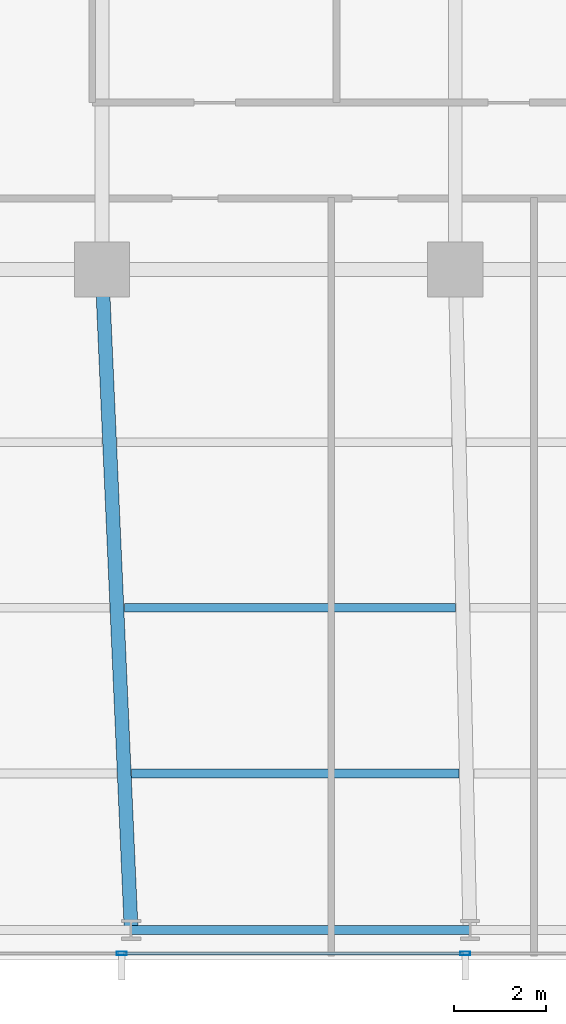
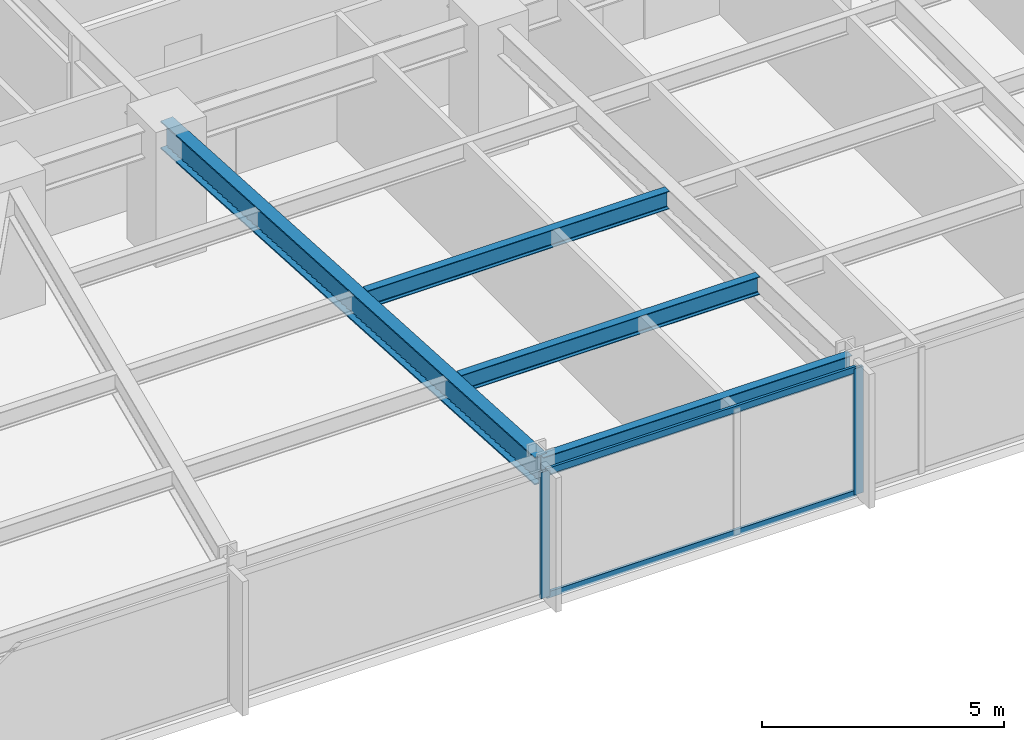
# One storey, part 5 of 32: 4 beams, 4 members, 1 element without a shape of its own.
"""IFC4 building model written with IfcOpenShell, lengths in metres."""

import ifcopenshell
import ifcopenshell.guid

model = None  # the IFC model being written
_history = None  # IfcOwnerHistory: only IFC2X3 demands one
_inside = {}  # id of a spatial element -> (the spatial element, [elements in it])
_under = {}  # id of a project, library or spatial element -> (it, [spatial elements below it])
_declared = {}  # id of a project -> (the project, [libraries it declares])
_typed = {}  # id of a type object -> (the type object, [elements of that type])
_made_of = {}  # id of a material, layer set ... -> (it, [elements and type objects made of it])


def new_model(schema):
    """Start an empty IFC model of exactly this schema.

    Asked for "IFC4X3", IfcOpenShell would pick the latest addendum, in which some entities
    have other attributes; the version numbers below select the first issue.
    IFC2X3 requires an IfcOwnerHistory on every rooted entity: one is made here for all.
    """
    global model, _history
    if schema == "IFC4X3":
        model = ifcopenshell.file(schema_version=(4, 3, 0, 0))
    else:
        model = ifcopenshell.file(schema=schema)
    _inside.clear()
    _under.clear()
    _declared.clear()
    _typed.clear()
    _made_of.clear()
    _history = None
    if model.schema == "IFC2X3":
        org = make("IfcOrganization", Name="unknown")
        user = make(
            "IfcPersonAndOrganization",
            ThePerson=make("IfcPerson", FamilyName="unknown"),
            TheOrganization=org,
        )
        app = make(
            "IfcApplication",
            ApplicationDeveloper=org,
            Version="unknown",
            ApplicationFullName="unknown",
            ApplicationIdentifier="unknown",
        )
        _history = make(
            "IfcOwnerHistory",
            OwningUser=user,
            OwningApplication=app,
            ChangeAction="ADDED",
            CreationDate=0,
        )
    return model


def make(cls, **values):
    """One entity of the class cls with the attributes given. An attribute that is None is left unset."""
    return model.create_entity(
        cls, **{name: value for name, value in values.items() if value is not None}
    )


def rooted(cls, **values):
    """An entity with a GlobalId (a new one), such as an element, a storey or a relation."""
    return make(cls, GlobalId=ifcopenshell.guid.new(), OwnerHistory=_history, **values)


def si_unit(unit_type, name, prefix=None):
    """IfcSIUnit, for example si_unit("LENGTHUNIT", "METRE", prefix="MILLI")."""
    return make("IfcSIUnit", UnitType=unit_type, Prefix=prefix, Name=name)


def assignment(units):
    """IfcUnitAssignment: the units of a project."""
    return None if units is None else make("IfcUnitAssignment", Units=units)


def point(xyz):
    """IfcCartesianPoint."""
    return None if xyz is None else make("IfcCartesianPoint", Coordinates=xyz)


def direction(xyz):
    """IfcDirection."""
    return None if xyz is None else make("IfcDirection", DirectionRatios=xyz)


def frame(location, z_axis=None, x_axis=None):
    """IfcAxis2Placement3D, a coordinate frame: its origin and axes. An axis left out is left unset."""
    return make(
        "IfcAxis2Placement3D",
        Location=point(location),
        Axis=direction(z_axis),
        RefDirection=direction(x_axis),
    )


def frame_2d(location, x_axis=None):
    """IfcAxis2Placement2D, a coordinate frame in the plane: its origin and x axis."""
    return make(
        "IfcAxis2Placement2D", Location=point(location), RefDirection=direction(x_axis)
    )


def origin():
    """The frame at (0, 0, 0) with its axes left unset."""
    return frame((0.0, 0.0, 0.0))


def origin_2d():
    """The frame at (0, 0) in the plane with its x axis left unset."""
    return frame_2d((0.0, 0.0))


def place(relative_to, where):
    """IfcLocalPlacement: puts the frame where relative to a parent placement (None: the world)."""
    return make(
        "IfcLocalPlacement", PlacementRelTo=relative_to, RelativePlacement=where
    )


def context(
    kind, dimensions, precision=None, world=None, true_north=None, identifier=None
):
    """IfcGeometricRepresentationContext, for example the 3D "Model" context."""
    return make(
        "IfcGeometricRepresentationContext",
        ContextIdentifier=identifier,
        ContextType=kind,
        CoordinateSpaceDimension=dimensions,
        Precision=precision,
        WorldCoordinateSystem=world,
        TrueNorth=true_north,
    )


def subcontext(parent, identifier, kind, view, scale=None):
    """IfcGeometricRepresentationSubContext, for example "Body" below "Model"."""
    return make(
        "IfcGeometricRepresentationSubContext",
        ContextIdentifier=identifier,
        ContextType=kind,
        ParentContext=parent,
        TargetScale=scale,
        TargetView=view,
    )


def project(units=None, contexts=None):
    """IfcProject with its units and contexts."""
    return rooted(
        "IfcProject",
        Name="project",
        RepresentationContexts=contexts,
        UnitsInContext=assignment(units),
    )


def spatial(cls, under=None, at=None, **own):
    """A site, building, storey or space (cls), placed at a placement, below another one or the project."""
    s = rooted(cls, ObjectPlacement=at, **own)
    if under is not None:
        _under.setdefault(under.id(), (under, []))[1].append(s)
    return s


def profile(cls, at=None, kind="AREA", **sizes):
    """A parametric profile (cls). Its sizes go by their IFC names, for example OverallWidth=200.0."""
    return make(cls, ProfileType=kind, Position=at, **sizes)


def hollow_rectangle(**sizes):
    """IfcRectangleHollowProfileDef."""
    return profile("IfcRectangleHollowProfileDef", **sizes)


def i_section(**sizes):
    """IfcIShapeProfileDef."""
    return profile("IfcIShapeProfileDef", **sizes)


def extrude(swept, where, along, depth):
    """IfcExtrudedAreaSolid: the profile swept, set in the frame where, extruded along a direction by depth."""
    return make(
        "IfcExtrudedAreaSolid",
        SweptArea=swept,
        Position=where,
        ExtrudedDirection=direction(along),
        Depth=depth,
    )


def shape(context_of_items, identifier, shape_type, items):
    """IfcShapeRepresentation: the items that make up one representation, for example the "Body"."""
    return make(
        "IfcShapeRepresentation",
        ContextOfItems=context_of_items,
        RepresentationIdentifier=identifier,
        RepresentationType=shape_type,
        Items=items,
    )


def material(Name=None, Category=None):
    """IfcMaterial."""
    return make("IfcMaterial", Name=Name, Category=Category)


def material_profile(
    of_material, cross_section, Name=None, Category=None, Priority=None
):
    """IfcMaterialProfile: a cross section and its material."""
    return make(
        "IfcMaterialProfile",
        Name=Name,
        Material=of_material,
        Profile=cross_section,
        Priority=Priority,
        Category=Category,
    )


def profile_set(profiles, Name=None, composite=None):
    """IfcMaterialProfileSet."""
    return make(
        "IfcMaterialProfileSet",
        Name=Name,
        MaterialProfiles=profiles,
        CompositeProfile=composite,
    )


def made_of(thing, what):
    """Note that an element or type object is made of a material, layer set ...; save() writes the relation."""
    if what is not None:
        _made_of.setdefault(what.id(), (what, []))[1].append(thing)
    return thing


def type_object(cls, material=None, **own):
    """A type object (cls), such as IfcWallType, which elements share."""
    return made_of(rooted(cls, **own), material)


def element(
    cls,
    number,
    at=None,
    inside=None,
    cuts=None,
    type_object=None,
    material=None,
    context=None,
    identifier="Body",
    shape_type=None,
    held_by="IfcProductDefinitionShape",
    body=None,
    shapes=None,
    **own,
):
    """One element of the class cls, such as IfcWall. Its Tag is "e" and its number.

    at: its placement. inside: the storey or other place that contains it. cuts: it is an
    opening in that element (IfcRelVoidsElement). A single representation is given by context,
    identifier, shape_type and body (its items); several are given by shapes. held_by: the class
    of the entity that holds the representations. save() writes the other relations.
    """
    e = rooted(cls, Tag="e%d" % number, ObjectPlacement=at, **own)
    if body is not None:
        shapes = [shape(context, identifier, shape_type, body)]
    if shapes is not None:
        e.Representation = make(held_by, Representations=shapes)
    if inside is not None:
        _inside.setdefault(inside.id(), (inside, []))[1].append(e)
    if cuts is not None:
        rooted(
            "IfcRelVoidsElement", RelatingBuildingElement=cuts, RelatedOpeningElement=e
        )
    if type_object is not None:
        _typed.setdefault(type_object.id(), (type_object, []))[1].append(e)
    return made_of(e, material)


def aggregate(whole, parts):
    """IfcRelAggregates: a whole, such as a stair, and the parts it consists of."""
    return rooted("IfcRelAggregates", RelatingObject=whole, RelatedObjects=parts)


def save(model, path):
    """Write the relations noted so far, then the file.

    IfcRelAggregates (storeys below a building ...), IfcRelContainedInSpatialStructure (elements
    in a storey), IfcRelDefinesByType, IfcRelAssociatesMaterial and IfcRelDeclares: one each for
    every whole, place, type object, material and project.
    """
    for whole, parts in _under.values():
        aggregate(whole, parts)
    for where, things in _inside.values():
        rooted(
            "IfcRelContainedInSpatialStructure",
            RelatedElements=things,
            RelatingStructure=where,
        )
    for kind, things in _typed.values():
        rooted("IfcRelDefinesByType", RelatedObjects=things, RelatingType=kind)
    for what, things in _made_of.values():
        rooted("IfcRelAssociatesMaterial", RelatedObjects=things, RelatingMaterial=what)
    for by, libraries in _declared.values():
        rooted("IfcRelDeclares", RelatingContext=by, RelatedDefinitions=libraries)
    model.write(path)


model = new_model("IFC4")

# Units and contexts
model_context = context("Model", 3, precision=1e-05, world=origin(), true_north=direction((0.0, 1.0)))
body_context = subcontext(model_context, "Body", "Model", "MODEL_VIEW")
ifc_project = project(units=[si_unit("LENGTHUNIT", "METRE"), si_unit("AREAUNIT", "SQUARE_METRE"), si_unit("VOLUMEUNIT", "CUBIC_METRE"), si_unit("PLANEANGLEUNIT", "RADIAN"), si_unit("MASSUNIT", "GRAM", prefix="KILO")], contexts=[model_context])

# Site, building, storey
site_placement = place(None, origin())
site = spatial("IfcSite", under=ifc_project, at=site_placement, CompositionType="ELEMENT")
building_placement = place(site_placement, origin())
building = spatial("IfcBuilding", under=site, at=building_placement, Name="Yelkora Congress Tower", CompositionType="ELEMENT")
storey_placement = place(building_placement, frame((0.0, 0.0, 61.0)))
storey = spatial("IfcBuildingStorey", under=building, at=storey_placement, Name="L15", CompositionType="ELEMENT", Elevation=61.0)

# Beams
ifc_material_1 = material(Name="Steel S355J2", Category="steel")
ifc_material_profile_1 = material_profile(ifc_material_1, i_section(OverallWidth=0.300048828125, OverallDepth=0.699951171875, WebThickness=0.01708984375, FlangeThickness=0.031982421875, FilletRadius=0.027099609375, at=origin_2d()), Name="HEB 700")
ifc_profile_set_1 = profile_set([ifc_material_profile_1], Name="Steel S355J2")
beam_type_1 = type_object("IfcBeamType", Name="BM-GIRD-HEB700", PredefinedType="BEAM", material=ifc_profile_set_1)
beam_1_placement = place(storey_placement, frame((23.675048828125, 10.85009765625, 2.830078125), z_axis=(-0.044208738849, 0.999022315771, 0.0), x_axis=(-0.999022315771, -0.044208738849, 0.0)))
element("IfcBeam", 1, at=beam_1_placement, inside=storey, type_object=beam_type_1, Name="L15 Primary Frame Girder S03", PredefinedType="BEAM", context=body_context, shape_type="SweptSolid", body=[
    extrude(i_section(OverallWidth=0.300048828125, OverallDepth=0.699951171875, WebThickness=0.01708984375, FlangeThickness=0.031982421875, FilletRadius=0.027099609375, at=origin_2d()), origin(), (0.0, 0.0, 1.0), 14.364013671875),
])
ifc_material_profile_2 = material_profile(ifc_material_1, i_section(OverallWidth=0.18994140625, OverallDepth=0.449951171875, WebThickness=0.009521484375, FlangeThickness=0.0146484375, FilletRadius=0.02099609375, at=origin_2d()), Name="IPE 450")
ifc_profile_set_2 = profile_set([ifc_material_profile_2], Name="Steel S355J2")
beam_type_2 = type_object("IfcBeamType", Name="BM-JOIST-IPE450", PredefinedType="JOIST", material=ifc_profile_set_2)
beam_2_placement = place(storey_placement, frame((23.6845703125, 14.25, 2.955078125), z_axis=(1.0, 0.0, 0.0), x_axis=(0.0, 1.0, 0.0)))
element("IfcBeam", 2, at=beam_2_placement, inside=storey, type_object=beam_type_2, Name="L15 Composite Floor Joist 3", PredefinedType="JOIST", context=body_context, shape_type="SweptSolid", body=[
    extrude(i_section(OverallWidth=0.18994140625, OverallDepth=0.449951171875, WebThickness=0.009521484375, FlangeThickness=0.0146484375, FilletRadius=0.02099609375, at=origin_2d()), origin(), (0.0, 0.0, 1.0), 7.11767578125),
])
beam_3_placement = place(storey_placement, frame((23.525146484375, 17.85009765625, 2.955078125), z_axis=(1.0, 0.0, 0.0), x_axis=(0.0, 1.0, 0.0)))
element("IfcBeam", 3, at=beam_3_placement, inside=storey, type_object=beam_type_2, Name="L15 Composite Floor Joist 11", PredefinedType="JOIST", context=body_context, shape_type="SweptSolid", body=[
    extrude(i_section(OverallWidth=0.18994140625, OverallDepth=0.449951171875, WebThickness=0.009521484375, FlangeThickness=0.0146484375, FilletRadius=0.02099609375, at=origin_2d()), origin(), (0.0, 0.0, 1.0), 7.197509765625),
])
ifc_material_profile_3 = material_profile(ifc_material_1, i_section(OverallWidth=0.199951171875, OverallDepth=0.5, WebThickness=0.01025390625, FlangeThickness=0.01611328125, FilletRadius=0.02099609375, at=origin_2d()), Name="IPE 500")
ifc_profile_set_3 = profile_set([ifc_material_profile_3], Name="Steel S355J2")
beam_type_3 = type_object("IfcBeamType", Name="BM-SPAN-IPE500", PredefinedType="SPANDREL", material=ifc_profile_set_3)
beam_4_placement = place(storey_placement, frame((23.675048828125, 10.85009765625, 2.929931640625), z_axis=(1.0, 0.0, 0.0), x_axis=(0.0, 1.0, 0.0)))
element("IfcBeam", 4, at=beam_4_placement, inside=storey, type_object=beam_type_3, Name="L15 Perimeter Beam 4", PredefinedType="SPANDREL", context=body_context, shape_type="SweptSolid", body=[
    extrude(i_section(OverallWidth=0.199951171875, OverallDepth=0.5, WebThickness=0.01025390625, FlangeThickness=0.01611328125, FilletRadius=0.02099609375, at=origin_2d()), origin(), (0.0, 0.0, 1.0), 7.362548828125),
])

# Curtain wall, members
ifc_material_2 = material(Name="Anodised aluminium and insulated glass", Category="aluminium")
curtain_wall_type = type_object("IfcCurtainWallType", Name="CW-SYS-B1", PredefinedType="NOTDEFINED", material=ifc_material_2)
curtain_wall_placement = place(storey_placement, origin())
curtain_wall = element("IfcCurtainWall", 5, at=curtain_wall_placement, inside=storey, type_object=curtain_wall_type, Name="L15 Unitised Curtain Wall 20", PredefinedType="NOTDEFINED")
ifc_material_3 = material(Name="Anodised aluminium 6063-T6", Category="aluminium")
ifc_material_profile_4 = material_profile(ifc_material_3, hollow_rectangle(XDim=0.074951171875, YDim=0.219970703125, WallThickness=0.0048828125, at=origin_2d()), Name="ALU 75x220x5")
ifc_profile_set_4 = profile_set([ifc_material_profile_4], Name="Anodised aluminium 6063-T6")
member_type_1 = type_object("IfcMemberType", Name="MEM-ML-B1", PredefinedType="MULLION", material=ifc_profile_set_4)
member_1_placement = place(storey_placement, frame((30.93505859375, 10.340087890625, 0.0), z_axis=(0.0, 0.0, 1.0), x_axis=(0.0, -1.0, 0.0)))
member_1 = element("IfcMember", 6, at=member_1_placement, type_object=member_type_1, Name="CW-B1 mullion 6", PredefinedType="MULLION", context=body_context, shape_type="SweptSolid", body=[
    extrude(hollow_rectangle(XDim=0.074951171875, YDim=0.219970703125, WallThickness=0.0048828125, at=origin_2d()), origin(), (0.0, 0.0, 1.0), 3.179931640625),
])
member_2_placement = place(storey_placement, frame((23.469970703125, 10.340087890625, 0.0), z_axis=(0.0, 0.0, 1.0), x_axis=(0.0, -1.0, 0.0)))
member_2 = element("IfcMember", 7, at=member_2_placement, type_object=member_type_1, Name="CW-B1 mullion 7", PredefinedType="MULLION", context=body_context, shape_type="SweptSolid", body=[
    extrude(hollow_rectangle(XDim=0.074951171875, YDim=0.219970703125, WallThickness=0.0048828125, at=origin_2d()), origin(), (0.0, 0.0, 1.0), 3.179931640625),
])
ifc_material_profile_5 = material_profile(ifc_material_3, hollow_rectangle(XDim=0.06494140625, YDim=0.159912109375, WallThickness=0.00390625, at=origin_2d()), Name="ALU 65x160x4")
ifc_profile_set_5 = profile_set([ifc_material_profile_5], Name="Anodised aluminium 6063-T6")
member_type_2 = type_object("IfcMemberType", Name="MEM-TR-B1", PredefinedType="USERDEFINED", material=ifc_profile_set_5)
member_3_placement = place(storey_placement, frame((30.8974609375, 10.340087890625, 0.032470703125), z_axis=(-1.0, 0.0, 0.0), x_axis=(0.0, -1.0, 0.0)))
member_3 = element("IfcMember", 8, at=member_3_placement, type_object=member_type_2, Name="CW-B1 transom 6.1", ObjectType="TRANSOM", PredefinedType="USERDEFINED", context=body_context, shape_type="SweptSolid", body=[
    extrude(hollow_rectangle(XDim=0.06494140625, YDim=0.159912109375, WallThickness=0.00390625, at=origin_2d()), origin(), (0.0, 0.0, 1.0), 7.389892578125),
])
member_4_placement = place(storey_placement, frame((30.8974609375, 10.340087890625, 3.1474609375), z_axis=(-1.0, 0.0, 0.0), x_axis=(0.0, -1.0, 0.0)))
member_4 = element("IfcMember", 9, at=member_4_placement, type_object=member_type_2, Name="CW-B1 transom 6.2", ObjectType="TRANSOM", PredefinedType="USERDEFINED", context=body_context, shape_type="SweptSolid", body=[
    extrude(hollow_rectangle(XDim=0.06494140625, YDim=0.159912109375, WallThickness=0.00390625, at=origin_2d()), origin(), (0.0, 0.0, 1.0), 7.389892578125),
])
aggregate(curtain_wall, [member_1, member_2, member_3, member_4])

save(model, "model.ifc")
